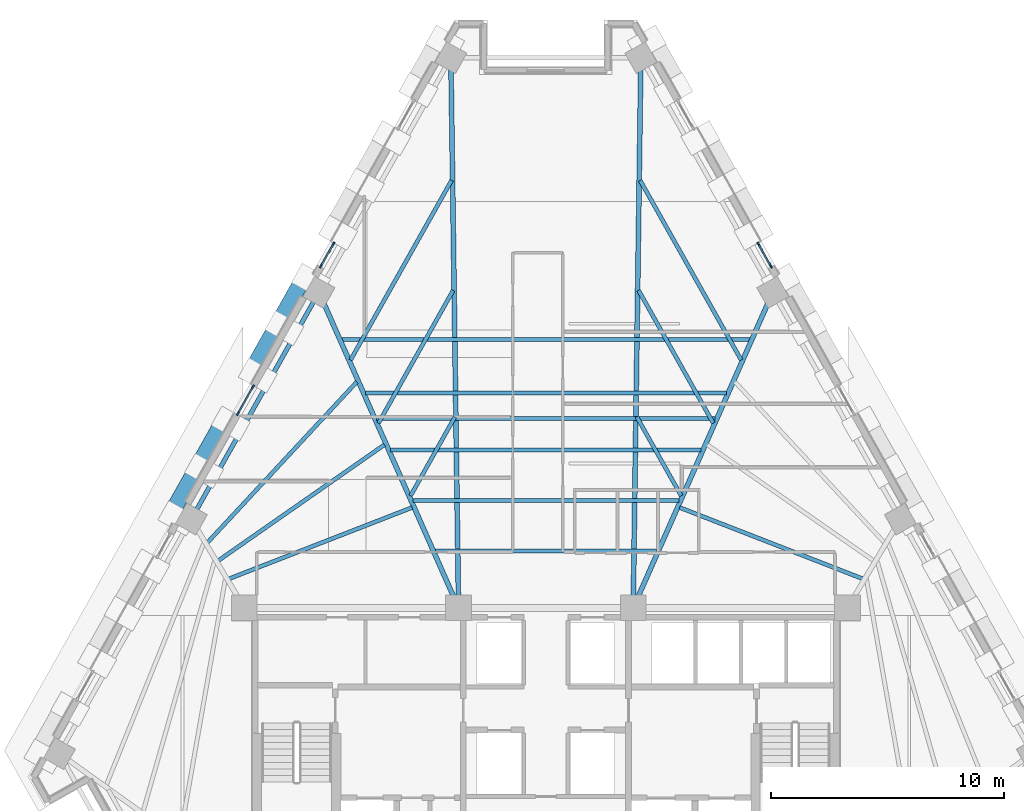
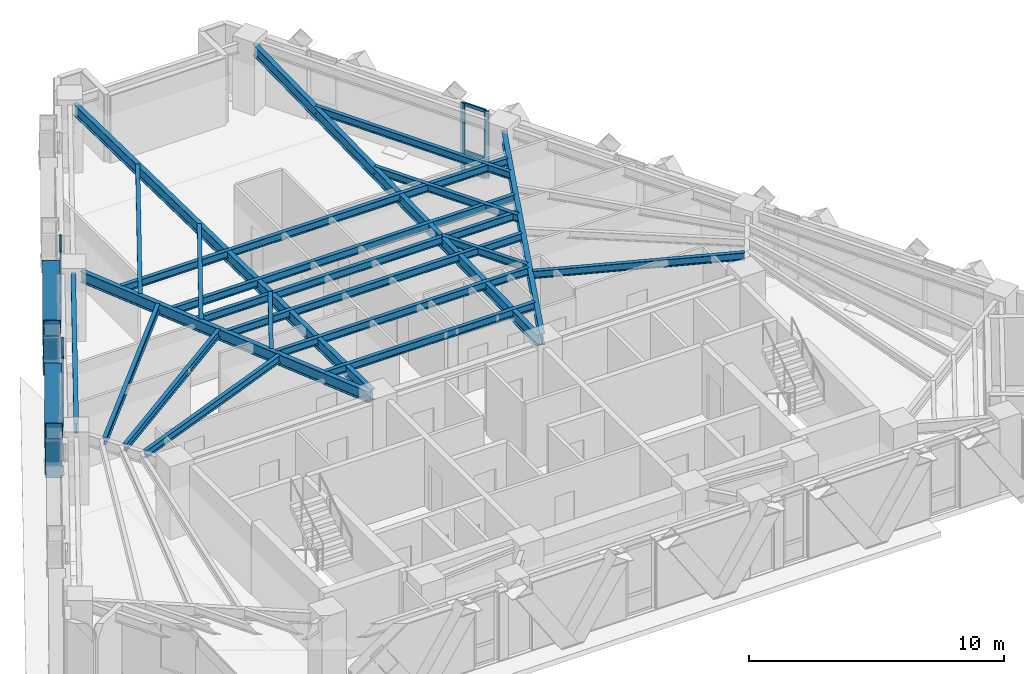
# One storey, part 3 of 13: 21 beams, 19 members, 3 elements without a shape of their own.
"""IFC4 building model written with IfcOpenShell, lengths in metres."""

import ifcopenshell
import ifcopenshell.guid

model = None  # the IFC model being written
_history = None  # IfcOwnerHistory: only IFC2X3 demands one
_inside = {}  # id of a spatial element -> (the spatial element, [elements in it])
_under = {}  # id of a project, library or spatial element -> (it, [spatial elements below it])
_declared = {}  # id of a project -> (the project, [libraries it declares])
_typed = {}  # id of a type object -> (the type object, [elements of that type])
_made_of = {}  # id of a material, layer set ... -> (it, [elements and type objects made of it])


def new_model(schema):
    """Start an empty IFC model of exactly this schema.

    Asked for "IFC4X3", IfcOpenShell would pick the latest addendum, in which some entities
    have other attributes; the version numbers below select the first issue.
    IFC2X3 requires an IfcOwnerHistory on every rooted entity: one is made here for all.
    """
    global model, _history
    if schema == "IFC4X3":
        model = ifcopenshell.file(schema_version=(4, 3, 0, 0))
    else:
        model = ifcopenshell.file(schema=schema)
    _inside.clear()
    _under.clear()
    _declared.clear()
    _typed.clear()
    _made_of.clear()
    _history = None
    if model.schema == "IFC2X3":
        org = make("IfcOrganization", Name="unknown")
        user = make(
            "IfcPersonAndOrganization",
            ThePerson=make("IfcPerson", FamilyName="unknown"),
            TheOrganization=org,
        )
        app = make(
            "IfcApplication",
            ApplicationDeveloper=org,
            Version="unknown",
            ApplicationFullName="unknown",
            ApplicationIdentifier="unknown",
        )
        _history = make(
            "IfcOwnerHistory",
            OwningUser=user,
            OwningApplication=app,
            ChangeAction="ADDED",
            CreationDate=0,
        )
    return model


def make(cls, **values):
    """One entity of the class cls with the attributes given. An attribute that is None is left unset."""
    return model.create_entity(
        cls, **{name: value for name, value in values.items() if value is not None}
    )


def rooted(cls, **values):
    """An entity with a GlobalId (a new one), such as an element, a storey or a relation."""
    return make(cls, GlobalId=ifcopenshell.guid.new(), OwnerHistory=_history, **values)


def si_unit(unit_type, name, prefix=None):
    """IfcSIUnit, for example si_unit("LENGTHUNIT", "METRE", prefix="MILLI")."""
    return make("IfcSIUnit", UnitType=unit_type, Prefix=prefix, Name=name)


def assignment(units):
    """IfcUnitAssignment: the units of a project."""
    return None if units is None else make("IfcUnitAssignment", Units=units)


def point(xyz):
    """IfcCartesianPoint."""
    return None if xyz is None else make("IfcCartesianPoint", Coordinates=xyz)


def direction(xyz):
    """IfcDirection."""
    return None if xyz is None else make("IfcDirection", DirectionRatios=xyz)


def frame(location, z_axis=None, x_axis=None):
    """IfcAxis2Placement3D, a coordinate frame: its origin and axes. An axis left out is left unset."""
    return make(
        "IfcAxis2Placement3D",
        Location=point(location),
        Axis=direction(z_axis),
        RefDirection=direction(x_axis),
    )


def frame_2d(location, x_axis=None):
    """IfcAxis2Placement2D, a coordinate frame in the plane: its origin and x axis."""
    return make(
        "IfcAxis2Placement2D", Location=point(location), RefDirection=direction(x_axis)
    )


def origin():
    """The frame at (0, 0, 0) with its axes left unset."""
    return frame((0.0, 0.0, 0.0))


def origin_2d():
    """The frame at (0, 0) in the plane with its x axis left unset."""
    return frame_2d((0.0, 0.0))


def place(relative_to, where):
    """IfcLocalPlacement: puts the frame where relative to a parent placement (None: the world)."""
    return make(
        "IfcLocalPlacement", PlacementRelTo=relative_to, RelativePlacement=where
    )


def context(
    kind, dimensions, precision=None, world=None, true_north=None, identifier=None
):
    """IfcGeometricRepresentationContext, for example the 3D "Model" context."""
    return make(
        "IfcGeometricRepresentationContext",
        ContextIdentifier=identifier,
        ContextType=kind,
        CoordinateSpaceDimension=dimensions,
        Precision=precision,
        WorldCoordinateSystem=world,
        TrueNorth=true_north,
    )


def subcontext(parent, identifier, kind, view, scale=None):
    """IfcGeometricRepresentationSubContext, for example "Body" below "Model"."""
    return make(
        "IfcGeometricRepresentationSubContext",
        ContextIdentifier=identifier,
        ContextType=kind,
        ParentContext=parent,
        TargetScale=scale,
        TargetView=view,
    )


def project(units=None, contexts=None):
    """IfcProject with its units and contexts."""
    return rooted(
        "IfcProject",
        Name="project",
        RepresentationContexts=contexts,
        UnitsInContext=assignment(units),
    )


def spatial(cls, under=None, at=None, **own):
    """A site, building, storey or space (cls), placed at a placement, below another one or the project."""
    s = rooted(cls, ObjectPlacement=at, **own)
    if under is not None:
        _under.setdefault(under.id(), (under, []))[1].append(s)
    return s


def profile(cls, at=None, kind="AREA", **sizes):
    """A parametric profile (cls). Its sizes go by their IFC names, for example OverallWidth=200.0."""
    return make(cls, ProfileType=kind, Position=at, **sizes)


def rectangle(**sizes):
    """IfcRectangleProfileDef."""
    return profile("IfcRectangleProfileDef", **sizes)


def hollow_rectangle(**sizes):
    """IfcRectangleHollowProfileDef."""
    return profile("IfcRectangleHollowProfileDef", **sizes)


def i_section(**sizes):
    """IfcIShapeProfileDef."""
    return profile("IfcIShapeProfileDef", **sizes)


def extrude(swept, where, along, depth):
    """IfcExtrudedAreaSolid: the profile swept, set in the frame where, extruded along a direction by depth."""
    return make(
        "IfcExtrudedAreaSolid",
        SweptArea=swept,
        Position=where,
        ExtrudedDirection=direction(along),
        Depth=depth,
    )


def shape(context_of_items, identifier, shape_type, items):
    """IfcShapeRepresentation: the items that make up one representation, for example the "Body"."""
    return make(
        "IfcShapeRepresentation",
        ContextOfItems=context_of_items,
        RepresentationIdentifier=identifier,
        RepresentationType=shape_type,
        Items=items,
    )


def material(Name=None, Category=None):
    """IfcMaterial."""
    return make("IfcMaterial", Name=Name, Category=Category)


def material_profile(
    of_material, cross_section, Name=None, Category=None, Priority=None
):
    """IfcMaterialProfile: a cross section and its material."""
    return make(
        "IfcMaterialProfile",
        Name=Name,
        Material=of_material,
        Profile=cross_section,
        Priority=Priority,
        Category=Category,
    )


def profile_set(profiles, Name=None, composite=None):
    """IfcMaterialProfileSet."""
    return make(
        "IfcMaterialProfileSet",
        Name=Name,
        MaterialProfiles=profiles,
        CompositeProfile=composite,
    )


def made_of(thing, what):
    """Note that an element or type object is made of a material, layer set ...; save() writes the relation."""
    if what is not None:
        _made_of.setdefault(what.id(), (what, []))[1].append(thing)
    return thing


def type_object(cls, material=None, **own):
    """A type object (cls), such as IfcWallType, which elements share."""
    return made_of(rooted(cls, **own), material)


def element(
    cls,
    number,
    at=None,
    inside=None,
    cuts=None,
    type_object=None,
    material=None,
    context=None,
    identifier="Body",
    shape_type=None,
    held_by="IfcProductDefinitionShape",
    body=None,
    shapes=None,
    **own,
):
    """One element of the class cls, such as IfcWall. Its Tag is "e" and its number.

    at: its placement. inside: the storey or other place that contains it. cuts: it is an
    opening in that element (IfcRelVoidsElement). A single representation is given by context,
    identifier, shape_type and body (its items); several are given by shapes. held_by: the class
    of the entity that holds the representations. save() writes the other relations.
    """
    e = rooted(cls, Tag="e%d" % number, ObjectPlacement=at, **own)
    if body is not None:
        shapes = [shape(context, identifier, shape_type, body)]
    if shapes is not None:
        e.Representation = make(held_by, Representations=shapes)
    if inside is not None:
        _inside.setdefault(inside.id(), (inside, []))[1].append(e)
    if cuts is not None:
        rooted(
            "IfcRelVoidsElement", RelatingBuildingElement=cuts, RelatedOpeningElement=e
        )
    if type_object is not None:
        _typed.setdefault(type_object.id(), (type_object, []))[1].append(e)
    return made_of(e, material)


def aggregate(whole, parts):
    """IfcRelAggregates: a whole, such as a stair, and the parts it consists of."""
    return rooted("IfcRelAggregates", RelatingObject=whole, RelatedObjects=parts)


def save(model, path):
    """Write the relations noted so far, then the file.

    IfcRelAggregates (storeys below a building ...), IfcRelContainedInSpatialStructure (elements
    in a storey), IfcRelDefinesByType, IfcRelAssociatesMaterial and IfcRelDeclares: one each for
    every whole, place, type object, material and project.
    """
    for whole, parts in _under.values():
        aggregate(whole, parts)
    for where, things in _inside.values():
        rooted(
            "IfcRelContainedInSpatialStructure",
            RelatedElements=things,
            RelatingStructure=where,
        )
    for kind, things in _typed.values():
        rooted("IfcRelDefinesByType", RelatedObjects=things, RelatingType=kind)
    for what, things in _made_of.values():
        rooted("IfcRelAssociatesMaterial", RelatedObjects=things, RelatingMaterial=what)
    for by, libraries in _declared.values():
        rooted("IfcRelDeclares", RelatingContext=by, RelatedDefinitions=libraries)
    model.write(path)


model = new_model("IFC4")

# Units and contexts
model_context = context("Model", 3, precision=1e-05, world=origin(), true_north=direction((0.0, 1.0)))
body_context = subcontext(model_context, "Body", "Model", "MODEL_VIEW")
ifc_project = project(units=[si_unit("LENGTHUNIT", "METRE"), si_unit("AREAUNIT", "SQUARE_METRE"), si_unit("VOLUMEUNIT", "CUBIC_METRE"), si_unit("PLANEANGLEUNIT", "RADIAN"), si_unit("MASSUNIT", "GRAM", prefix="KILO")], contexts=[model_context])

# Site, building, storey
site_placement = place(None, origin())
site = spatial("IfcSite", under=ifc_project, at=site_placement, CompositionType="ELEMENT")
building_placement = place(site_placement, origin())
building = spatial("IfcBuilding", under=site, at=building_placement, Name="Quenlor Broadcast Tower", CompositionType="ELEMENT")
storey_placement = place(building_placement, frame((0.0, 0.0, 130.0)))
storey = spatial("IfcBuildingStorey", under=building, at=storey_placement, Name="L35", CompositionType="ELEMENT", Elevation=130.0)

# Curtain wall, members
ifc_material_1 = material(Name="Architectural Terracotta and Low-E Glazing", Category="masonry")
curtain_wall_type = type_object("IfcCurtainWallType", Name="Unitised Terracotta Curtain Wall System Z3", PredefinedType="NOTDEFINED", material=ifc_material_1)
curtain_wall_1_placement = place(storey_placement, origin())
curtain_wall_1 = element("IfcCurtainWall", 1, at=curtain_wall_1_placement, inside=storey, type_object=curtain_wall_type, Name="L35 Curtain Wall CW3 (L35-NEA-G2)", PredefinedType="NOTDEFINED")
ifc_material_2 = material(Name="Aluminium 6063-T6", Category="aluminium")
ifc_material_profile_1 = material_profile(ifc_material_2, rectangle(XDim=0.070068359375, YDim=0.18994140625, at=origin_2d()))
ifc_profile_set_1 = profile_set([ifc_material_profile_1], Name="Aluminium 6063-T6 MULL70x190")
member_type_1 = type_object("IfcMemberType", Name="CW3 Aluminium Mullion MULL_CW3", PredefinedType="MULLION", material=ifc_profile_set_1)
member_1_placement = place(storey_placement, frame((9.1259765625, 10.8193359375, 0.0), z_axis=(0.0, 0.0, 1.0), x_axis=(0.871601010924, 0.490215950125, 0.0)))
member_1 = element("IfcMember", 2, at=member_1_placement, type_object=member_type_1, Name="CW3 mullion 1", PredefinedType="MULLION", context=body_context, shape_type="SweptSolid", body=[
    extrude(rectangle(XDim=0.070068359375, YDim=0.18994140625, at=origin_2d()), origin(), (0.0, 0.0, 1.0), 3.25),
])
member_2_placement = place(storey_placement, frame((9.656982421875, 9.875244140625, 0.0), z_axis=(0.0, 0.0, 1.0), x_axis=(0.871601010924, 0.490215950125, 0.0)))
member_2 = element("IfcMember", 3, at=member_2_placement, type_object=member_type_1, Name="CW3 mullion 2", PredefinedType="MULLION", context=body_context, shape_type="SweptSolid", body=[
    extrude(rectangle(XDim=0.070068359375, YDim=0.18994140625, at=origin_2d()), origin(), (0.0, 0.0, 1.0), 3.25),
])

curtain_wall_2_placement = place(storey_placement, origin())
curtain_wall_2 = element("IfcCurtainWall", 4, at=curtain_wall_2_placement, inside=storey, type_object=curtain_wall_type, Name="L35 Curtain Wall CW3 (L35-NWC-G1)", PredefinedType="NOTDEFINED")
member_3_placement = place(storey_placement, frame((-9.656982421875, 9.875244140625, 0.0), z_axis=(0.0, 0.0, 1.0), x_axis=(-0.871601010924, 0.490215950125, 0.0)))
member_3 = element("IfcMember", 5, at=member_3_placement, type_object=member_type_1, Name="CW3 mullion 1", PredefinedType="MULLION", context=body_context, shape_type="SweptSolid", body=[
    extrude(rectangle(XDim=0.070068359375, YDim=0.18994140625, at=origin_2d()), origin(), (0.0, 0.0, 1.0), 3.25),
])
member_4_placement = place(storey_placement, frame((-9.1259765625, 10.8193359375, 0.0), z_axis=(0.0, 0.0, 1.0), x_axis=(-0.871601010924, 0.490215950125, 0.0)))
member_4 = element("IfcMember", 6, at=member_4_placement, type_object=member_type_1, Name="CW3 mullion 2", PredefinedType="MULLION", context=body_context, shape_type="SweptSolid", body=[
    extrude(rectangle(XDim=0.070068359375, YDim=0.18994140625, at=origin_2d()), origin(), (0.0, 0.0, 1.0), 3.25),
])

curtain_wall_3_placement = place(storey_placement, origin())
curtain_wall_3 = element("IfcCurtainWall", 7, at=curtain_wall_3_placement, inside=storey, type_object=curtain_wall_type, Name="L35 Curtain Wall CW3 (L35-NW-G1)", PredefinedType="NOTDEFINED")
member_5_placement = place(storey_placement, frame((-13.220947265625, 3.5390625, 0.0), z_axis=(0.0, 0.0, 1.0), x_axis=(-0.871562085714, 0.490285152484, 0.0)))
member_5 = element("IfcMember", 8, at=member_5_placement, type_object=member_type_1, Name="CW3 mullion 1", PredefinedType="MULLION", context=body_context, shape_type="SweptSolid", body=[
    extrude(rectangle(XDim=0.070068359375, YDim=0.18994140625, at=origin_2d()), origin(), (0.0, 0.0, 1.0), 3.25),
])
member_6_placement = place(storey_placement, frame((-12.573974609375, 4.689208984375, 0.0), z_axis=(0.0, 0.0, 1.0), x_axis=(-0.871562085714, 0.490285152484, 0.0)))
member_6 = element("IfcMember", 9, at=member_6_placement, type_object=member_type_1, Name="CW3 mullion 2", PredefinedType="MULLION", context=body_context, shape_type="SweptSolid", body=[
    extrude(rectangle(XDim=0.070068359375, YDim=0.18994140625, at=origin_2d()), origin(), (0.0, 0.0, 1.0), 3.25),
])

# Member
ifc_material_3 = material(Name="Aluminium 6063-T6", Category="aluminium")
ifc_material_profile_2 = material_profile(ifc_material_3, rectangle(XDim=0.070068359375, YDim=0.155029296875, at=origin_2d()))
ifc_profile_set_2 = profile_set([ifc_material_profile_2], Name="Aluminium 6063-T6 TRAN70x155")
member_type_2 = type_object("IfcMemberType", Name="CW3 Aluminium Transom TRAN_CW3", PredefinedType="USERDEFINED", material=ifc_profile_set_2)
member_7_placement = place(storey_placement, frame((9.14306640625, 10.788818359375, 0.034912109375), z_axis=(0.490341317219, -0.871530488639, 0.0), x_axis=(0.871530488639, 0.490341317219, 0.0)))
member_7 = element("IfcMember", 10, at=member_7_placement, type_object=member_type_2, Name="CW3 transom 1.1", ObjectType="TRANSOM", PredefinedType="USERDEFINED", context=body_context, shape_type="SweptSolid", body=[
    extrude(rectangle(XDim=0.070068359375, YDim=0.155029296875, at=origin_2d()), origin(), (0.0, 0.0, 1.0), 1.01318359375),
])

member_8_placement = place(storey_placement, frame((9.14306640625, 10.788818359375, 0.949951171875), z_axis=(0.490341317219, -0.871530488639, 0.0), x_axis=(0.871530488639, 0.490341317219, 0.0)))
member_8 = element("IfcMember", 11, at=member_8_placement, type_object=member_type_2, Name="CW3 transom 1.2", ObjectType="TRANSOM", PredefinedType="USERDEFINED", context=body_context, shape_type="SweptSolid", body=[
    extrude(rectangle(XDim=0.070068359375, YDim=0.155029296875, at=origin_2d()), origin(), (0.0, 0.0, 1.0), 1.01318359375),
])

member_9_placement = place(storey_placement, frame((9.14306640625, 10.788818359375, 3.215087890625), z_axis=(0.490341317219, -0.871530488639, 0.0), x_axis=(0.871530488639, 0.490341317219, 0.0)))
member_9 = element("IfcMember", 12, at=member_9_placement, type_object=member_type_2, Name="CW3 transom 1.3", ObjectType="TRANSOM", PredefinedType="USERDEFINED", context=body_context, shape_type="SweptSolid", body=[
    extrude(rectangle(XDim=0.070068359375, YDim=0.155029296875, at=origin_2d()), origin(), (0.0, 0.0, 1.0), 1.01318359375),
])

aggregate(curtain_wall_1, [member_1, member_2, member_7, member_8, member_9])

member_10_placement = place(storey_placement, frame((-9.639892578125, 9.90576171875, 0.034912109375), z_axis=(0.490341317219, 0.871530488639, 0.0), x_axis=(-0.871530488639, 0.490341317219, 0.0)))
member_10 = element("IfcMember", 13, at=member_10_placement, type_object=member_type_2, Name="CW3 transom 1.1", ObjectType="TRANSOM", PredefinedType="USERDEFINED", context=body_context, shape_type="SweptSolid", body=[
    extrude(rectangle(XDim=0.070068359375, YDim=0.155029296875, at=origin_2d()), origin(), (0.0, 0.0, 1.0), 1.01318359375),
])

member_11_placement = place(storey_placement, frame((-9.639892578125, 9.90576171875, 0.949951171875), z_axis=(0.490341317219, 0.871530488639, 0.0), x_axis=(-0.871530488639, 0.490341317219, 0.0)))
member_11 = element("IfcMember", 14, at=member_11_placement, type_object=member_type_2, Name="CW3 transom 1.2", ObjectType="TRANSOM", PredefinedType="USERDEFINED", context=body_context, shape_type="SweptSolid", body=[
    extrude(rectangle(XDim=0.070068359375, YDim=0.155029296875, at=origin_2d()), origin(), (0.0, 0.0, 1.0), 1.01318359375),
])

member_12_placement = place(storey_placement, frame((-9.639892578125, 9.90576171875, 3.215087890625), z_axis=(0.490341317219, 0.871530488639, 0.0), x_axis=(-0.871530488639, 0.490341317219, 0.0)))
member_12 = element("IfcMember", 15, at=member_12_placement, type_object=member_type_2, Name="CW3 transom 1.3", ObjectType="TRANSOM", PredefinedType="USERDEFINED", context=body_context, shape_type="SweptSolid", body=[
    extrude(rectangle(XDim=0.070068359375, YDim=0.155029296875, at=origin_2d()), origin(), (0.0, 0.0, 1.0), 1.01318359375),
])

aggregate(curtain_wall_2, [member_3, member_4, member_10, member_11, member_12])

member_13_placement = place(storey_placement, frame((-13.203857421875, 3.569580078125, 0.034912109375), z_axis=(0.490363266059, 0.871518139398, 0.0), x_axis=(-0.871518139398, 0.490363266059, 0.0)))
member_13 = element("IfcMember", 16, at=member_13_placement, type_object=member_type_2, Name="CW3 transom 1.1", ObjectType="TRANSOM", PredefinedType="USERDEFINED", context=body_context, shape_type="SweptSolid", body=[
    extrude(rectangle(XDim=0.070068359375, YDim=0.155029296875, at=origin_2d()), origin(), (0.0, 0.0, 1.0), 1.249755859375),
])

member_14_placement = place(storey_placement, frame((-13.203857421875, 3.569580078125, 0.949951171875), z_axis=(0.490363266059, 0.871518139398, 0.0), x_axis=(-0.871518139398, 0.490363266059, 0.0)))
member_14 = element("IfcMember", 17, at=member_14_placement, type_object=member_type_2, Name="CW3 transom 1.2", ObjectType="TRANSOM", PredefinedType="USERDEFINED", context=body_context, shape_type="SweptSolid", body=[
    extrude(rectangle(XDim=0.070068359375, YDim=0.155029296875, at=origin_2d()), origin(), (0.0, 0.0, 1.0), 1.249755859375),
])

member_15_placement = place(storey_placement, frame((-13.203857421875, 3.569580078125, 3.215087890625), z_axis=(0.490363266059, 0.871518139398, 0.0), x_axis=(-0.871518139398, 0.490363266059, 0.0)))
member_15 = element("IfcMember", 18, at=member_15_placement, type_object=member_type_2, Name="CW3 transom 1.3", ObjectType="TRANSOM", PredefinedType="USERDEFINED", context=body_context, shape_type="SweptSolid", body=[
    extrude(rectangle(XDim=0.070068359375, YDim=0.155029296875, at=origin_2d()), origin(), (0.0, 0.0, 1.0), 1.249755859375),
])

aggregate(curtain_wall_3, [member_5, member_6, member_13, member_14, member_15])

# Members
ifc_material_4 = material(Name="Steel S355", Category="steel")
ifc_material_profile_3 = material_profile(ifc_material_4, hollow_rectangle(XDim=0.679931640625, YDim=0.679931640625, WallThickness=0.02490234375, at=origin_2d()))
ifc_profile_set_3 = profile_set([ifc_material_profile_3], Name="Steel S355 RHS680x680x25")
member_type_3 = type_object("IfcMemberType", Name="Perimeter Diagonal Lattice Brace Z3-Z4 Steel S355 RHS680x25", PredefinedType="BRACE", material=ifc_profile_set_3)
for number, where, z_axis, x_axis, name in (
    (19, (-14.97265625, 1.230712890625, -0.1201171875), (-0.27060310517, -0.481001091283, 0.833913610428), (0.871544572467, -0.490316283845, 0.0), "L35 Perimeter Diamond Lattice NW-C2B"),
    (20, (-14.958984375, 1.255126953125, -0.1201171875), (0.2705491942, 0.481008661973, 0.833926735766), (-0.871589611547, 0.490236217596, 0.0), "L35 Perimeter Diamond Lattice NW-C3S"),
    (21, (-11.524658203125, 7.360595703125, -0.1201171875), (-0.2705491942, -0.481008661973, 0.833926735766), (0.871589611547, -0.490236217596, 0.0), "L35 Perimeter Diamond Lattice NW-C3B"),
    (22, (-11.5107421875, 7.385009765625, -0.1201171875), (0.2705491942, 0.481008661973, 0.833926735766), (-0.871589611547, 0.490236217596, 0.0), "L35 Perimeter Diamond Lattice NW-C4S"),
):
    element("IfcMember", number, at=place(storey_placement, frame(where, z_axis=z_axis, x_axis=x_axis)), inside=storey, type_object=member_type_3, Name=name, PredefinedType="BRACE", context=body_context, shape_type="SweptSolid", body=[
        extrude(hollow_rectangle(XDim=0.679931640625, YDim=0.679931640625, WallThickness=0.02490234375, at=origin_2d()), origin(), (0.0, 0.0, 1.0), 4.197021484375),
    ])

# Beams
ifc_material_5 = material(Name="Steel S355", Category="steel")
ifc_material_profile_4 = material_profile(ifc_material_5, i_section(OverallWidth=0.19091796875, OverallDepth=0.46044921875, WebThickness=0.010009765625, FlangeThickness=0.01611328125, FilletRadius=0.011474609375, at=origin_2d()))
ifc_profile_set_4 = profile_set([ifc_material_profile_4], Name="Steel S355 460UB82.1")
beam_type_1 = type_object("IfcBeamType", Name="Perimeter Spandrel Beam Z3 Steel S355 460UB82.1", PredefinedType="SPANDREL", material=ifc_profile_set_4)
beam_1_placement = place(storey_placement, frame((-9.944091796875, 8.39599609375, 3.019775390625), z_axis=(-0.490252288562, -0.871580572041, 0.0), x_axis=(0.871580572041, -0.490252288562, 0.0)))
element("IfcBeam", 23, at=beam_1_placement, inside=storey, type_object=beam_type_1, Name="L35 Spandrel Beam NW2-NW3", PredefinedType="SPANDREL", context=body_context, shape_type="SweptSolid", body=[
    extrude(i_section(OverallWidth=0.19091796875, OverallDepth=0.46044921875, WebThickness=0.010009765625, FlangeThickness=0.01611328125, FilletRadius=0.011474609375, at=origin_2d()), origin(), (0.0, 0.0, 1.0), 10.359619140625),
])
ifc_material_6 = material(Name="Steel S355", Category="steel")
ifc_material_profile_5 = material_profile(ifc_material_6, i_section(OverallWidth=0.172119140625, OverallDepth=0.358642578125, WebThickness=0.008056640625, FlangeThickness=0.012939453125, FilletRadius=0.011474609375, at=origin_2d()))
ifc_profile_set_5 = profile_set([ifc_material_profile_5], Name="Steel S355 360UB56.7")
beam_type_2 = type_object("IfcBeamType", Name="Tower Composite Joist Z2-Z3 Steel S355 360UB56.7", PredefinedType="JOIST", material=ifc_profile_set_5)
beam_2_placement = place(storey_placement, frame((-4.748779296875, -2.3603515625, 3.07080078125), z_axis=(1.0, 0.0, 0.0), x_axis=(0.0, 1.0, 0.0)))
element("IfcBeam", 24, at=beam_2_placement, inside=storey, type_object=beam_type_2, Name="L35 Secondary Composite Joist 1", PredefinedType="JOIST", context=body_context, shape_type="SweptSolid", body=[
    extrude(i_section(OverallWidth=0.172119140625, OverallDepth=0.358642578125, WebThickness=0.008056640625, FlangeThickness=0.012939453125, FilletRadius=0.011474609375, at=origin_2d()), origin(), (0.0, 0.0, 1.0), 9.49755859375),
])
beam_3_placement = place(storey_placement, frame((-7.265869140625, 3.33203125, 3.07080078125), z_axis=(1.0, 0.0, 0.0), x_axis=(0.0, 1.0, 0.0)))
element("IfcBeam", 25, at=beam_3_placement, inside=storey, type_object=beam_type_2, Name="L35 Secondary Composite Joist 2", PredefinedType="JOIST", context=body_context, shape_type="SweptSolid", body=[
    extrude(i_section(OverallWidth=0.172119140625, OverallDepth=0.358642578125, WebThickness=0.008056640625, FlangeThickness=0.012939453125, FilletRadius=0.011474609375, at=origin_2d()), origin(), (0.0, 0.0, 1.0), 14.53173828125),
])
beam_4_placement = place(storey_placement, frame((-5.70751953125, -0.19189453125, 3.07080078125), z_axis=(1.0, 0.0, 0.0), x_axis=(0.0, 1.0, 0.0)))
element("IfcBeam", 26, at=beam_4_placement, inside=storey, type_object=beam_type_2, Name="L35 Secondary Composite Joist 3", PredefinedType="JOIST", context=body_context, shape_type="SweptSolid", body=[
    extrude(i_section(OverallWidth=0.172119140625, OverallDepth=0.358642578125, WebThickness=0.008056640625, FlangeThickness=0.012939453125, FilletRadius=0.011474609375, at=origin_2d()), origin(), (0.0, 0.0, 1.0), 11.4150390625),
])
beam_5_placement = place(storey_placement, frame((-6.66650390625, 1.976806640625, 3.07080078125), z_axis=(1.0, 0.0, 0.0), x_axis=(0.0, 1.0, 0.0)))
element("IfcBeam", 27, at=beam_5_placement, inside=storey, type_object=beam_type_2, Name="L35 Secondary Composite Joist 4", PredefinedType="JOIST", context=body_context, shape_type="SweptSolid", body=[
    extrude(i_section(OverallWidth=0.172119140625, OverallDepth=0.358642578125, WebThickness=0.008056640625, FlangeThickness=0.012939453125, FilletRadius=0.011474609375, at=origin_2d()), origin(), (0.0, 0.0, 1.0), 13.3330078125),
])
beam_6_placement = place(storey_placement, frame((-7.7451171875, 4.416259765625, 3.07080078125), z_axis=(1.0, 0.0, 0.0), x_axis=(0.0, 1.0, 0.0)))
element("IfcBeam", 28, at=beam_6_placement, inside=storey, type_object=beam_type_2, Name="L35 Secondary Composite Joist 5", PredefinedType="JOIST", context=body_context, shape_type="SweptSolid", body=[
    extrude(i_section(OverallWidth=0.172119140625, OverallDepth=0.358642578125, WebThickness=0.008056640625, FlangeThickness=0.012939453125, FilletRadius=0.011474609375, at=origin_2d()), origin(), (0.0, 0.0, 1.0), 15.490234375),
])
beam_7_placement = place(storey_placement, frame((-8.763916015625, 6.72021484375, 3.07080078125), z_axis=(1.0, 0.0, 0.0), x_axis=(0.0, 1.0, 0.0)))
element("IfcBeam", 29, at=beam_7_placement, inside=storey, type_object=beam_type_2, Name="L35 Secondary Composite Joist 6", PredefinedType="JOIST", context=body_context, shape_type="SweptSolid", body=[
    extrude(i_section(OverallWidth=0.172119140625, OverallDepth=0.358642578125, WebThickness=0.008056640625, FlangeThickness=0.012939453125, FilletRadius=0.011474609375, at=origin_2d()), origin(), (0.0, 0.0, 1.0), 17.52783203125),
])
beam_8_placement = place(storey_placement, frame((-13.60302734375, -3.552001953125, 3.07080078125), z_axis=(0.931881865797, 0.362761889121, 0.0), x_axis=(-0.362761889121, 0.931881865797, 0.0)))
element("IfcBeam", 30, at=beam_8_placement, inside=storey, type_object=beam_type_2, Name="L35 Secondary Composite Joist 7", PredefinedType="JOIST", context=body_context, shape_type="SweptSolid", body=[
    extrude(i_section(OverallWidth=0.172119140625, OverallDepth=0.358642578125, WebThickness=0.008056640625, FlangeThickness=0.012939453125, FilletRadius=0.011474609375, at=origin_2d()), origin(), (0.0, 0.0, 1.0), 8.435546875),
])
beam_9_placement = place(storey_placement, frame((-14.06689453125, -2.7734375, 3.07080078125), z_axis=(0.82026568394, 0.57198269882, 0.0), x_axis=(-0.57198269882, 0.82026568394, 0.0)))
element("IfcBeam", 31, at=beam_9_placement, inside=storey, type_object=beam_type_2, Name="L35 Secondary Composite Joist 8", PredefinedType="JOIST", context=body_context, shape_type="SweptSolid", body=[
    extrude(i_section(OverallWidth=0.172119140625, OverallDepth=0.358642578125, WebThickness=0.008056640625, FlangeThickness=0.012939453125, FilletRadius=0.011474609375, at=origin_2d()), origin(), (0.0, 0.0, 1.0), 8.698486328125),
])
beam_10_placement = place(storey_placement, frame((-14.53271484375, -1.998779296875, 3.07080078125), z_axis=(0.680873505991, 0.732401030065, 0.0), x_axis=(-0.732401030065, 0.680873505991, 0.0)))
element("IfcBeam", 32, at=beam_10_placement, inside=storey, type_object=beam_type_2, Name="L35 Secondary Composite Joist 9", PredefinedType="JOIST", context=body_context, shape_type="SweptSolid", body=[
    extrude(i_section(OverallWidth=0.172119140625, OverallDepth=0.358642578125, WebThickness=0.008056640625, FlangeThickness=0.012939453125, FilletRadius=0.011474609375, at=origin_2d()), origin(), (0.0, 0.0, 1.0), 9.419189453125),
])
beam_11_placement = place(storey_placement, frame((13.60302734375, -3.552001953125, 3.07080078125), z_axis=(-0.931881865797, 0.362761889121, 0.0), x_axis=(-0.362761889121, -0.931881865797, 0.0)))
element("IfcBeam", 33, at=beam_11_placement, inside=storey, type_object=beam_type_2, Name="L35 Secondary Composite Joist 10", PredefinedType="JOIST", context=body_context, shape_type="SweptSolid", body=[
    extrude(i_section(OverallWidth=0.172119140625, OverallDepth=0.358642578125, WebThickness=0.008056640625, FlangeThickness=0.012939453125, FilletRadius=0.011474609375, at=origin_2d()), origin(), (0.0, 0.0, 1.0), 8.435546875),
])
beam_12_placement = place(storey_placement, frame((-3.904541015625, 3.39794921875, 3.07080078125), z_axis=(-0.49026422458, -0.871573858085, 0.0), x_axis=(0.871573858085, -0.49026422458, 0.0)))
element("IfcBeam", 34, at=beam_12_placement, inside=storey, type_object=beam_type_2, Name="L35 Secondary Composite Joist 25", PredefinedType="JOIST", context=body_context, shape_type="SweptSolid", body=[
    extrude(i_section(OverallWidth=0.172119140625, OverallDepth=0.358642578125, WebThickness=0.008056640625, FlangeThickness=0.012939453125, FilletRadius=0.011474609375, at=origin_2d()), origin(), (0.0, 0.0, 1.0), 3.88330078125),
])
beam_13_placement = place(storey_placement, frame((-3.980224609375, 8.8310546875, 3.07080078125), z_axis=(-0.490266556378, -0.871572546434, 0.0), x_axis=(0.871572546434, -0.490266556378, 0.0)))
element("IfcBeam", 35, at=beam_13_placement, inside=storey, type_object=beam_type_2, Name="L35 Secondary Composite Joist 26", PredefinedType="JOIST", context=body_context, shape_type="SweptSolid", body=[
    extrude(i_section(OverallWidth=0.172119140625, OverallDepth=0.358642578125, WebThickness=0.008056640625, FlangeThickness=0.012939453125, FilletRadius=0.011474609375, at=origin_2d()), origin(), (0.0, 0.0, 1.0), 6.54052734375),
])
beam_14_placement = place(storey_placement, frame((-4.046142578125, 13.555419921875, 3.07080078125), z_axis=(-0.490254691431, -0.871579220455, 0.0), x_axis=(0.871579220455, -0.490254691431, 0.0)))
element("IfcBeam", 36, at=beam_14_placement, inside=storey, type_object=beam_type_2, Name="L35 Secondary Composite Joist 27", PredefinedType="JOIST", context=body_context, shape_type="SweptSolid", body=[
    extrude(i_section(OverallWidth=0.172119140625, OverallDepth=0.358642578125, WebThickness=0.008056640625, FlangeThickness=0.012939453125, FilletRadius=0.011474609375, at=origin_2d()), origin(), (0.0, 0.0, 1.0), 8.850830078125),
])
beam_15_placement = place(storey_placement, frame((3.904541015625, 3.39794921875, 3.07080078125), z_axis=(0.49026422458, -0.871573858085, 0.0), x_axis=(0.871573858085, 0.49026422458, 0.0)))
element("IfcBeam", 37, at=beam_15_placement, inside=storey, type_object=beam_type_2, Name="L35 Secondary Composite Joist 28", PredefinedType="JOIST", context=body_context, shape_type="SweptSolid", body=[
    extrude(i_section(OverallWidth=0.172119140625, OverallDepth=0.358642578125, WebThickness=0.008056640625, FlangeThickness=0.012939453125, FilletRadius=0.011474609375, at=origin_2d()), origin(), (0.0, 0.0, 1.0), 3.88330078125),
])
beam_16_placement = place(storey_placement, frame((3.980224609375, 8.8310546875, 3.07080078125), z_axis=(0.490266556378, -0.871572546434, 0.0), x_axis=(0.871572546434, 0.490266556378, 0.0)))
element("IfcBeam", 38, at=beam_16_placement, inside=storey, type_object=beam_type_2, Name="L35 Secondary Composite Joist 29", PredefinedType="JOIST", context=body_context, shape_type="SweptSolid", body=[
    extrude(i_section(OverallWidth=0.172119140625, OverallDepth=0.358642578125, WebThickness=0.008056640625, FlangeThickness=0.012939453125, FilletRadius=0.011474609375, at=origin_2d()), origin(), (0.0, 0.0, 1.0), 6.54052734375),
])
beam_17_placement = place(storey_placement, frame((4.046142578125, 13.555419921875, 3.07080078125), z_axis=(0.490254691431, -0.871579220455, 0.0), x_axis=(0.871579220455, 0.490254691431, 0.0)))
element("IfcBeam", 39, at=beam_17_placement, inside=storey, type_object=beam_type_2, Name="L35 Secondary Composite Joist 30", PredefinedType="JOIST", context=body_context, shape_type="SweptSolid", body=[
    extrude(i_section(OverallWidth=0.172119140625, OverallDepth=0.358642578125, WebThickness=0.008056640625, FlangeThickness=0.012939453125, FilletRadius=0.011474609375, at=origin_2d()), origin(), (0.0, 0.0, 1.0), 8.850830078125),
])
ifc_material_7 = material(Name="Steel S355", Category="steel")
ifc_material_profile_6 = material_profile(ifc_material_7, i_section(OverallWidth=0.208984375, OverallDepth=0.532958984375, WebThickness=0.01025390625, FlangeThickness=0.015625, FilletRadius=0.013916015625, at=origin_2d()))
ifc_profile_set_6 = profile_set([ifc_material_profile_6], Name="Steel S355 530UB92.4")
beam_type_3 = type_object("IfcBeamType", Name="Tower Primary Floor Beam Z3 Steel S355 530UB92.4", PredefinedType="BEAM", material=ifc_profile_set_6)
beam_18_placement = place(storey_placement, frame((9.5771484375, 8.37841796875, 2.9833984375), z_axis=(-0.404397129794, -0.914583490675, 0.0), x_axis=(0.914583490675, -0.404397129794, 0.0)))
element("IfcBeam", 40, at=beam_18_placement, inside=storey, type_object=beam_type_3, Name="L35 Primary Radial Beam NE3", PredefinedType="BEAM", context=body_context, shape_type="SweptSolid", body=[
    extrude(i_section(OverallWidth=0.208984375, OverallDepth=0.532958984375, WebThickness=0.01025390625, FlangeThickness=0.015625, FilletRadius=0.013916015625, at=origin_2d()), origin(), (0.0, 0.0, 1.0), 14.029052734375),
])
for number, where, z_axis, x_axis, name in (
    (41, (4.073486328125, 18.412109375, 2.9833984375), (-0.013931496433, -0.999902951994, 0.0), (0.999902951994, -0.013931496433, 0.0), "L35 Primary Radial Beam NE4"),
    (42, (-4.073486328125, 18.412109375, 2.9833984375), (0.013931496433, -0.999902951994, 0.0), (0.999902951994, 0.013931496433, 0.0), "L35 Primary Radial Beam NW1"),
):
    element("IfcBeam", number, at=place(storey_placement, frame(where, z_axis=z_axis, x_axis=x_axis)), inside=storey, type_object=beam_type_3, Name=name, PredefinedType="BEAM", context=body_context, shape_type="SweptSolid", body=[
        extrude(i_section(OverallWidth=0.208984375, OverallDepth=0.532958984375, WebThickness=0.01025390625, FlangeThickness=0.015625, FilletRadius=0.013916015625, at=origin_2d()), origin(), (0.0, 0.0, 1.0), 22.834228515625),
    ])
beam_19_placement = place(storey_placement, frame((-9.5771484375, 8.37841796875, 2.9833984375), z_axis=(0.404397129794, -0.914583490675, 0.0), x_axis=(0.914583490675, 0.404397129794, 0.0)))
element("IfcBeam", 43, at=beam_19_placement, inside=storey, type_object=beam_type_3, Name="L35 Primary Radial Beam NW2", PredefinedType="BEAM", context=body_context, shape_type="SweptSolid", body=[
    extrude(i_section(OverallWidth=0.208984375, OverallDepth=0.532958984375, WebThickness=0.01025390625, FlangeThickness=0.015625, FilletRadius=0.013916015625, at=origin_2d()), origin(), (0.0, 0.0, 1.0), 14.029052734375),
])

save(model, "model.ifc")
